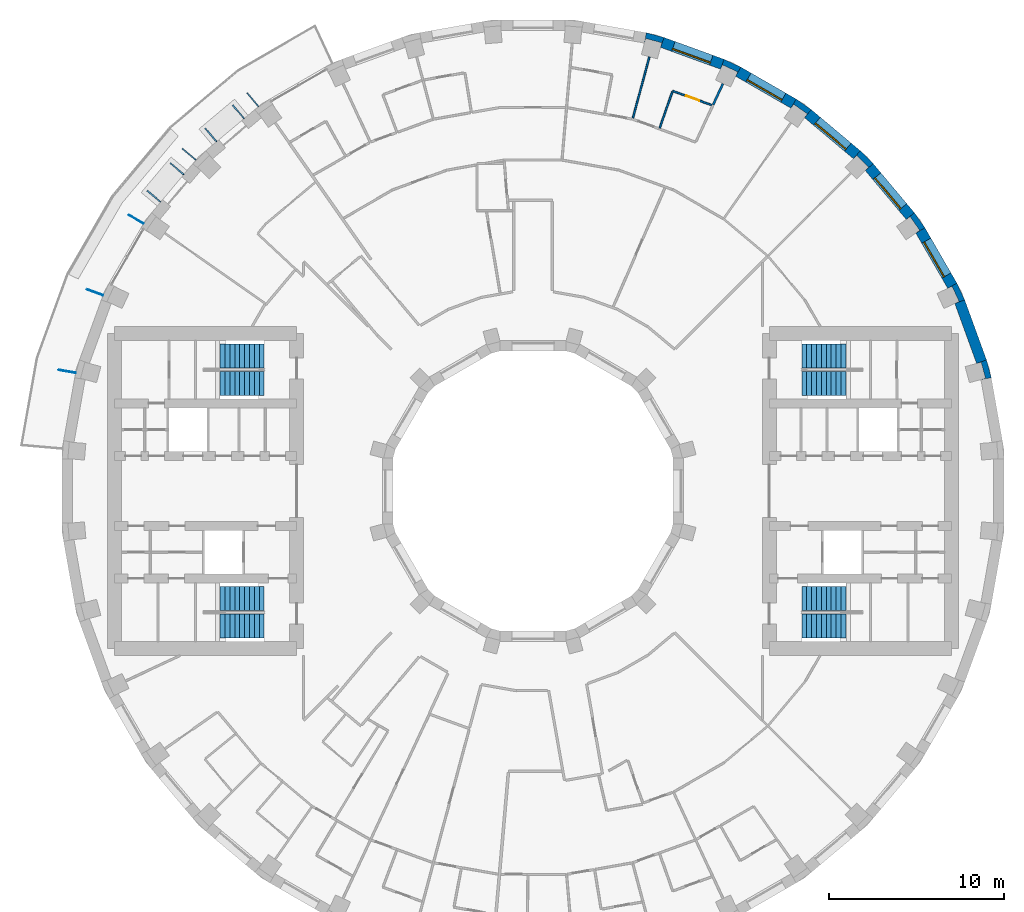
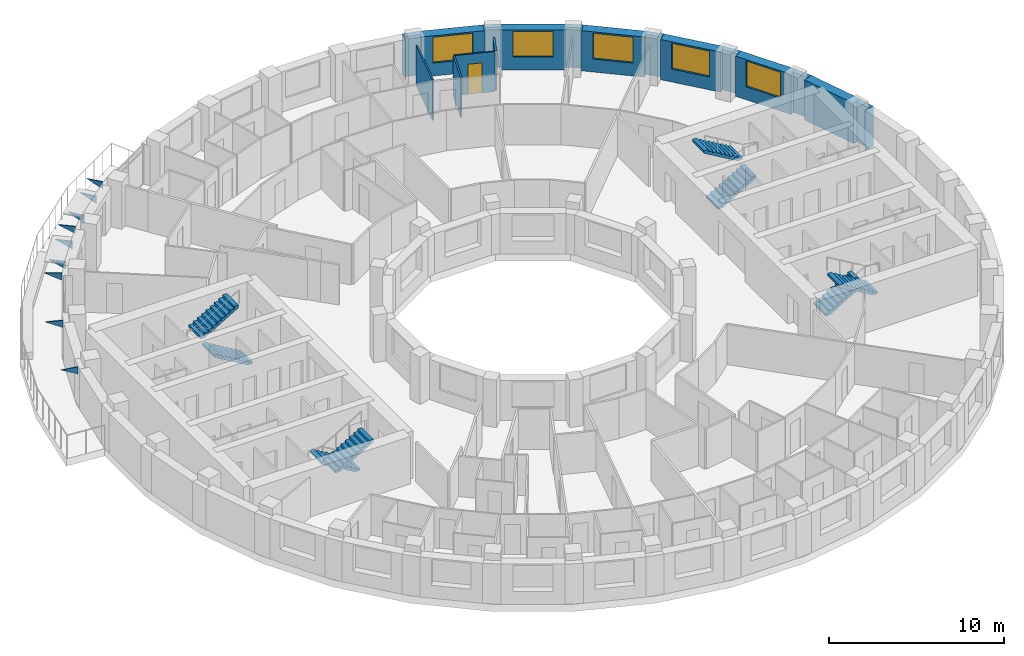
# One storey, part 13 of 14: 17 walls, 9 discrete accessories, 8 stair flights, 5 windows, 1 door, 6 openings, 4 elements without a shape of their own.
"""IFC4 building model written with IfcOpenShell, lengths in metres."""

from ifc_helpers import new_model, si_unit, direction, frame, frame_2d, origin, place, context, subcontext, project, spatial, polyline, rectangle, outline, extrude, material, layer, layer_set, type_object, element, fill, aggregate, save


model = new_model("IFC4")

# Units and contexts
model_context = context("Model", 3, precision=1e-05, world=origin(), true_north=direction((0.0, 1.0)))
body_context = subcontext(model_context, "Body", "Model", "MODEL_VIEW")
ifc_project = project(units=[si_unit("LENGTHUNIT", "METRE"), si_unit("AREAUNIT", "SQUARE_METRE"), si_unit("VOLUMEUNIT", "CUBIC_METRE"), si_unit("PLANEANGLEUNIT", "RADIAN"), si_unit("MASSUNIT", "GRAM", prefix="KILO")], contexts=[model_context])

# Site, building, storey
site_placement = place(None, origin())
site = spatial("IfcSite", under=ifc_project, at=site_placement, CompositionType="ELEMENT")
building_placement = place(site_placement, origin())
building = spatial("IfcBuilding", under=site, at=building_placement, Name="Saqina Gate Tower", CompositionType="ELEMENT")
storey_placement = place(building_placement, frame((0.0, 0.0, 101.800048828125)))
storey = spatial("IfcBuildingStorey", under=building, at=storey_placement, Name="L28", CompositionType="ELEMENT", Elevation=101.800048828125)

# Walls
ifc_material_1 = material(Name="Brick masonry (buff)", Category="masonry")
wall_type_1 = type_object("IfcWallType", Name="BRICK PIER COPING BUFF", PredefinedType="SOLIDWALL", material=ifc_material_1)
wall_1_placement = place(storey_placement, origin())
element("IfcWall", 1, at=wall_1_placement, inside=storey, type_object=wall_type_1, Name="Pier cap L28 column 2", PredefinedType="SOLIDWALL", context=body_context, shape_type="SweptSolid", body=[
    extrude(outline(polyline([(26.171875, 6.466796875), (25.89892578125, 7.485595703125), (25.335205078125, 7.2802734375), (25.5947265625, 7.349853515625), (25.8408203125, 6.43212890625), (25.5810546875, 6.36279296875), (26.171875, 6.466796875)])), origin(), (0.0, 0.0, 1.0), 2.800048828125),
])
wall_2_placement = place(storey_placement, origin())
element("IfcWall", 2, at=wall_2_placement, inside=storey, type_object=wall_type_1, Name="Pier cap L28 column 3", PredefinedType="SOLIDWALL", context=body_context, shape_type="SweptSolid", body=[
    extrude(outline(polyline([(24.6513671875, 10.913330078125), (24.205810546875, 11.869140625), (23.68603515625, 11.569091796875), (23.9296875, 11.6826171875), (24.331298828125, 10.82177734375), (24.08740234375, 10.7080078125), (24.6513671875, 10.913330078125)])), origin(), (0.0, 0.0, 1.0), 2.800048828125),
])
wall_3_placement = place(storey_placement, origin())
element("IfcWall", 3, at=wall_3_placement, inside=storey, type_object=wall_type_1, Name="Pier cap L28 column 4", PredefinedType="SOLIDWALL", context=body_context, shape_type="SweptSolid", body=[
    extrude(outline(polyline([(21.77685546875, 15.89208984375), (21.317138671875, 15.50634765625), (21.53759765625, 15.66064453125), (22.08251953125, 14.88232421875), (21.862060546875, 14.728271484375), (22.3818359375, 15.0283203125), (21.77685546875, 15.89208984375)])), origin(), (0.0, 0.0, 1.0), 2.800048828125),
])
wall_4_placement = place(storey_placement, origin())
element("IfcWall", 4, at=wall_4_placement, inside=storey, type_object=wall_type_1, Name="Pier cap L28 column 5", PredefinedType="SOLIDWALL", context=body_context, shape_type="SweptSolid", body=[
    extrude(outline(polyline([(19.43212890625, 18.686279296875), (18.686279296875, 19.43212890625), (18.30078125, 18.972412109375), (18.49072265625, 19.16259765625), (19.16259765625, 18.49072265625), (18.972412109375, 18.30078125), (19.43212890625, 18.686279296875)])), origin(), (0.0, 0.0, 1.0), 2.800048828125),
])
wall_5_placement = place(storey_placement, origin())
element("IfcWall", 5, at=wall_5_placement, inside=storey, type_object=wall_type_1, Name="Pier cap L28 column 6", PredefinedType="SOLIDWALL", context=body_context, shape_type="SweptSolid", body=[
    extrude(outline(polyline([(15.0283203125, 22.3818359375), (14.728271484375, 21.862060546875), (14.88232421875, 22.08251953125), (15.66064453125, 21.53759765625), (15.50634765625, 21.317138671875), (15.89208984375, 21.77685546875), (15.0283203125, 22.3818359375)])), origin(), (0.0, 0.0, 1.0), 2.800048828125),
])
wall_6_placement = place(storey_placement, origin())
element("IfcWall", 6, at=wall_6_placement, inside=storey, type_object=wall_type_1, Name="Pier cap L28 column 7", PredefinedType="SOLIDWALL", context=body_context, shape_type="SweptSolid", body=[
    extrude(outline(polyline([(10.913330078125, 24.6513671875), (10.7080078125, 24.08740234375), (10.82177734375, 24.331298828125), (11.6826171875, 23.9296875), (11.569091796875, 23.68603515625), (11.869140625, 24.205810546875), (10.913330078125, 24.6513671875)])), origin(), (0.0, 0.0, 1.0), 2.800048828125),
])
wall_7_placement = place(storey_placement, origin())
element("IfcWall", 7, at=wall_7_placement, inside=storey, type_object=wall_type_1, Name="Pier cap L28 column 8", PredefinedType="SOLIDWALL", context=body_context, shape_type="SweptSolid", body=[
    extrude(outline(polyline([(7.485595703125, 25.89892578125), (6.466796875, 26.171875), (6.36279296875, 25.5810546875), (6.43212890625, 25.8408203125), (7.349853515625, 25.5947265625), (7.2802734375, 25.335205078125), (7.485595703125, 25.89892578125)])), origin(), (0.0, 0.0, 1.0), 2.800048828125),
])

# Wall, opening, window
ifc_material_2 = material(Name="Brick masonry (buff)", Category="masonry")
ifc_layer_1 = layer(ifc_material_2, 0.60009765625)
ifc_layer_set_1 = layer_set([ifc_layer_1], Name="FW-BRICK-BUFF")
wall_type_2 = type_object("IfcWallType", Name="FW-BRICK-BUFF", PredefinedType="SOLIDWALL", material=ifc_layer_set_1)
wall_8_placement = place(storey_placement, frame((23.94580078125, 11.718994140625, 0.0), z_axis=(0.0, 0.0, 1.0), x_axis=(-0.499954196102, 0.866051847062, 0.0)))
wall_8 = element("IfcWall", 8, at=wall_8_placement, inside=storey, type_object=wall_type_2, Name="Facade wall L28 facet 3", PredefinedType="SOLIDWALL", context=body_context, shape_type="SweptSolid", body=[
    extrude(rectangle(XDim=3.647705078125, YDim=0.60009765625, at=frame_2d((1.82373046875, 0.0))), origin(), (0.0, 0.0, 1.0), 2.800048828125),
])
opening_1_placement = place(wall_8_placement, frame((0.673828125, 0.0, 0.89990234375)))
opening_1 = element("IfcOpeningElement", 9, at=opening_1_placement, cuts=wall_8, Name="Opening G08-W01", PredefinedType="OPENING", context=body_context, shape_type="SweptSolid", body=[
    extrude(rectangle(XDim=2.300048828125, YDim=1.800048828125, at=frame_2d((1.14990234375, 0.89990234375))), frame((0.0, 0.31201171875, 0.0), z_axis=(0.0, -1.0, 0.0), x_axis=(1.0, 0.0, 0.0)), (0.0, 0.0, 1.0), 0.6240234375),
])
ifc_material_3 = material(Name="Aluminium glazing", Category="aluminium")
window_type = type_object("IfcWindowType", Name="WN-B", PartitioningType="SINGLE_PANEL", PredefinedType="WINDOW", material=ifc_material_3)
window_1_placement = place(opening_1_placement, origin())
window_1 = element("IfcWindow", 10, at=window_1_placement, inside=storey, type_object=window_type, Name="Window L28 facet 3", OverallHeight=1.800048828125, OverallWidth=2.300048828125, PartitioningType="SINGLE_PANEL", PredefinedType="WINDOW", context=body_context, shape_type="SweptSolid", body=[
    extrude(rectangle(XDim=2.300048828125, YDim=1.800048828125, at=frame_2d((1.14990234375, 0.89990234375))), frame((0.0, 0.179931640625, 0.0), z_axis=(0.0, -1.0, 0.0), x_axis=(1.0, 0.0, 0.0)), (0.0, 0.0, 1.0), 0.06005859375),
])
fill(opening_1, window_1)

wall_9_placement = place(storey_placement, frame((21.547119140625, 15.69921875, 0.0), z_axis=(0.0, 0.0, 1.0), x_axis=(-0.642774476932, 0.766055462616, 0.0)))
wall_9 = element("IfcWall", 11, at=wall_9_placement, inside=storey, type_object=wall_type_2, Name="Facade wall L28 facet 4", PredefinedType="SOLIDWALL", context=body_context, shape_type="SweptSolid", body=[
    extrude(rectangle(XDim=3.647705078125, YDim=0.60009765625, at=frame_2d((1.82373046875, 0.0))), origin(), (0.0, 0.0, 1.0), 2.800048828125),
])
opening_2_placement = place(wall_9_placement, frame((0.673828125, 0.0, 0.89990234375)))
opening_2 = element("IfcOpeningElement", 12, at=opening_2_placement, cuts=wall_9, Name="Opening G08-W02", PredefinedType="OPENING", context=body_context, shape_type="SweptSolid", body=[
    extrude(rectangle(XDim=2.300048828125, YDim=1.800048828125, at=frame_2d((1.14990234375, 0.89990234375))), frame((0.0, 0.31201171875, 0.0), z_axis=(0.0, -1.0, 0.0), x_axis=(1.0, 0.0, 0.0)), (0.0, 0.0, 1.0), 0.6240234375),
])
window_2_placement = place(opening_2_placement, origin())
window_2 = element("IfcWindow", 13, at=window_2_placement, inside=storey, type_object=window_type, Name="Window L28 facet 4", OverallHeight=1.800048828125, OverallWidth=2.300048828125, PartitioningType="SINGLE_PANEL", PredefinedType="WINDOW", context=body_context, shape_type="SweptSolid", body=[
    extrude(rectangle(XDim=2.300048828125, YDim=1.800048828125, at=frame_2d((1.14990234375, 0.89990234375))), frame((0.0, 0.179931640625, 0.0), z_axis=(0.0, -1.0, 0.0), x_axis=(1.0, 0.0, 0.0)), (0.0, 0.0, 1.0), 0.06005859375),
])
fill(opening_2, window_2)

wall_10_placement = place(storey_placement, frame((18.49365234375, 19.202392578125, 0.0), z_axis=(0.0, 0.0, 1.0), x_axis=(-0.766055462616, 0.642774476932, 0.0)))
wall_10 = element("IfcWall", 14, at=wall_10_placement, inside=storey, type_object=wall_type_2, Name="Facade wall L28 facet 5", PredefinedType="SOLIDWALL", context=body_context, shape_type="SweptSolid", body=[
    extrude(rectangle(XDim=3.647705078125, YDim=0.60009765625, at=frame_2d((1.82373046875, 0.0))), origin(), (0.0, 0.0, 1.0), 2.800048828125),
])
opening_3_placement = place(wall_10_placement, frame((0.673828125, 0.0, 0.89990234375)))
opening_3 = element("IfcOpeningElement", 15, at=opening_3_placement, cuts=wall_10, Name="Opening G08-W03", PredefinedType="OPENING", context=body_context, shape_type="SweptSolid", body=[
    extrude(rectangle(XDim=2.300048828125, YDim=1.800048828125, at=frame_2d((1.14990234375, 0.89990234375))), frame((0.0, 0.31201171875, 0.0), z_axis=(0.0, -1.0, 0.0), x_axis=(1.0, 0.0, 0.0)), (0.0, 0.0, 1.0), 0.6240234375),
])
window_3_placement = place(opening_3_placement, origin())
window_3 = element("IfcWindow", 16, at=window_3_placement, inside=storey, type_object=window_type, Name="Window L28 facet 5", OverallHeight=1.800048828125, OverallWidth=2.300048828125, PartitioningType="SINGLE_PANEL", PredefinedType="WINDOW", context=body_context, shape_type="SweptSolid", body=[
    extrude(rectangle(XDim=2.300048828125, YDim=1.800048828125, at=frame_2d((1.14990234375, 0.89990234375))), frame((0.0, 0.179931640625, 0.0), z_axis=(0.0, -1.0, 0.0), x_axis=(1.0, 0.0, 0.0)), (0.0, 0.0, 1.0), 0.06005859375),
])
fill(opening_3, window_3)

wall_11_placement = place(storey_placement, frame((14.878173828125, 22.1220703125, 0.0), z_axis=(0.0, 0.0, 1.0), x_axis=(-0.866051847062, 0.499954196102, 0.0)))
wall_11 = element("IfcWall", 17, at=wall_11_placement, inside=storey, type_object=wall_type_2, Name="Facade wall L28 facet 6", PredefinedType="SOLIDWALL", context=body_context, shape_type="SweptSolid", body=[
    extrude(rectangle(XDim=3.647705078125, YDim=0.60009765625, at=frame_2d((1.82373046875, 0.0))), origin(), (0.0, 0.0, 1.0), 2.800048828125),
])
opening_4_placement = place(wall_11_placement, frame((0.673828125, 0.0, 0.89990234375)))
opening_4 = element("IfcOpeningElement", 18, at=opening_4_placement, cuts=wall_11, Name="Opening G08-W04", PredefinedType="OPENING", context=body_context, shape_type="SweptSolid", body=[
    extrude(rectangle(XDim=2.300048828125, YDim=1.800048828125, at=frame_2d((1.14990234375, 0.89990234375))), frame((0.0, 0.31201171875, 0.0), z_axis=(0.0, -1.0, 0.0), x_axis=(1.0, 0.0, 0.0)), (0.0, 0.0, 1.0), 0.6240234375),
])
window_4_placement = place(opening_4_placement, origin())
window_4 = element("IfcWindow", 19, at=window_4_placement, inside=storey, type_object=window_type, Name="Window L28 facet 6", OverallHeight=1.800048828125, OverallWidth=2.300048828125, PartitioningType="SINGLE_PANEL", PredefinedType="WINDOW", context=body_context, shape_type="SweptSolid", body=[
    extrude(rectangle(XDim=2.300048828125, YDim=1.800048828125, at=frame_2d((1.14990234375, 0.89990234375))), frame((0.0, 0.179931640625, 0.0), z_axis=(0.0, -1.0, 0.0), x_axis=(1.0, 0.0, 0.0)), (0.0, 0.0, 1.0), 0.06005859375),
])
fill(opening_4, window_4)

wall_12_placement = place(storey_placement, frame((10.810791015625, 24.369384765625, 0.0), z_axis=(0.0, 0.0, 1.0), x_axis=(-0.939703505393, 0.341990236633, 0.0)))
wall_12 = element("IfcWall", 20, at=wall_12_placement, inside=storey, type_object=wall_type_2, Name="Facade wall L28 facet 7", PredefinedType="SOLIDWALL", context=body_context, shape_type="SweptSolid", body=[
    extrude(rectangle(XDim=3.64794921875, YDim=0.60009765625, at=frame_2d((1.823974609375, 0.0))), origin(), (0.0, 0.0, 1.0), 2.800048828125),
])
opening_5_placement = place(wall_12_placement, frame((0.673828125, 0.0, 0.89990234375)))
opening_5 = element("IfcOpeningElement", 21, at=opening_5_placement, cuts=wall_12, Name="Opening G08-W05", PredefinedType="OPENING", context=body_context, shape_type="SweptSolid", body=[
    extrude(rectangle(XDim=2.300048828125, YDim=1.800048828125, at=frame_2d((1.14990234375, 0.89990234375))), frame((0.0, 0.31201171875, 0.0), z_axis=(0.0, -1.0, 0.0), x_axis=(1.0, 0.0, 0.0)), (0.0, 0.0, 1.0), 0.6240234375),
])
window_5_placement = place(opening_5_placement, origin())
window_5 = element("IfcWindow", 22, at=window_5_placement, inside=storey, type_object=window_type, Name="Window L28 facet 7", OverallHeight=1.800048828125, OverallWidth=2.300048828125, PartitioningType="SINGLE_PANEL", PredefinedType="WINDOW", context=body_context, shape_type="SweptSolid", body=[
    extrude(rectangle(XDim=2.300048828125, YDim=1.800048828125, at=frame_2d((1.14990234375, 0.89990234375))), frame((0.0, 0.179931640625, 0.0), z_axis=(0.0, -1.0, 0.0), x_axis=(1.0, 0.0, 0.0)), (0.0, 0.0, 1.0), 0.06005859375),
])
fill(opening_5, window_5)

# Wall
ifc_material_4 = material(Name="Glazed ceramic tile (dark blue)", Category="ceramic")
ifc_layer_2 = layer(ifc_material_4, 0.60009765625)
ifc_layer_set_2 = layer_set([ifc_layer_2], Name="FW-TILE-CB")
wall_type_3 = type_object("IfcWallType", Name="FW-TILE-CB", PredefinedType="SOLIDWALL", material=ifc_layer_set_2)
wall_13_placement = place(storey_placement, frame((25.616943359375, 7.3828125, 0.0), z_axis=(0.0, 0.0, 1.0), x_axis=(-0.341990236633, 0.939703505393, 0.0)))
element("IfcWall", 23, at=wall_13_placement, inside=storey, type_object=wall_type_3, Name="Facade wall L28 facet 2", PredefinedType="SOLIDWALL", context=body_context, shape_type="SweptSolid", body=[
    extrude(rectangle(XDim=3.64794921875, YDim=0.60009765625, at=frame_2d((1.823974609375, 0.0))), origin(), (0.0, 0.0, 1.0), 2.800048828125),
])

# Wall, opening, door
ifc_material_5 = material(Name="Gypsum board on steel studs, 100 mm", Category="steel")
ifc_layer_3 = layer(ifc_material_5, 0.10009765625)
ifc_layer_set_3 = layer_set([ifc_layer_3], Name="PARTITION 100")
wall_type_4 = type_object("IfcWallType", Name="PARTITION 100", PredefinedType="PARTITIONING", material=ifc_layer_set_3)
wall_14_placement = place(storey_placement, frame((7.97607421875, 22.846923828125, 0.0), z_axis=(0.0, 0.0, 1.0), x_axis=(0.939727609181, -0.341923998196, 0.0)))
wall_14 = element("IfcWall", 24, at=wall_14_placement, inside=storey, type_object=wall_type_4, Name="PARTITION PW3-36", PredefinedType="PARTITIONING", context=body_context, shape_type="SweptSolid", body=[
    extrude(rectangle(XDim=2.38330078125, YDim=0.10009765625, at=frame_2d((1.191650390625, 0.0))), origin(), (0.0, 0.0, 1.0), 2.800048828125),
])
opening_6_placement = place(wall_14_placement, frame((0.81787109375, 0.0, 0.0)))
opening_6 = element("IfcOpeningElement", 25, at=opening_6_placement, cuts=wall_14, Name="Opening G08-D05", PredefinedType="OPENING", context=body_context, shape_type="SweptSolid", body=[
    extrude(rectangle(XDim=0.800048828125, YDim=2.10009765625, at=frame_2d((0.39990234375, 1.050048828125))), frame((0.0, 0.06201171875, 0.0), z_axis=(0.0, -1.0, 0.0), x_axis=(1.0, 0.0, 0.0)), (0.0, 0.0, 1.0), 0.1240234375),
])
ifc_material_6 = material(Name="Timber door leaf, 800 mm", Category="wood")
door_type = type_object("IfcDoorType", Name="DOOR 800 TIMBER", OperationType="SINGLE_SWING_LEFT", PredefinedType="DOOR", material=ifc_material_6)
door_placement = place(opening_6_placement, origin())
door = element("IfcDoor", 26, at=door_placement, inside=storey, type_object=door_type, Name="DOOR G08-D05", OperationType="SINGLE_SWING_RIGHT", OverallHeight=2.10009765625, OverallWidth=0.800048828125, PredefinedType="DOOR", context=body_context, shape_type="SweptSolid", body=[
    extrude(rectangle(XDim=0.800048828125, YDim=2.10009765625, at=frame_2d((0.39990234375, 1.050048828125))), frame((0.0, 0.02490234375, 0.0), z_axis=(0.0, -1.0, 0.0), x_axis=(1.0, 0.0, 0.0)), (0.0, 0.0, 1.0), 0.050048828125),
])
fill(opening_6, door)

# Walls
wall_15_placement = place(storey_placement, frame((7.234375, 20.72314453125, 0.0), z_axis=(0.0, 0.0, 1.0), x_axis=(0.329648286048, 0.944103811827, 0.0)))
element("IfcWall", 27, at=wall_15_placement, inside=storey, type_object=wall_type_4, Name="PARTITION PW3-87", PredefinedType="PARTITIONING", context=body_context, shape_type="SweptSolid", body=[
    extrude(rectangle(XDim=2.19970703125, YDim=0.10009765625, at=frame_2d((1.099853515625, 0.0))), origin(), (0.0, 0.0, 1.0), 2.800048828125),
])
wall_16_placement = place(storey_placement, frame((5.705078125, 21.29248046875, 0.0), z_axis=(0.0, 0.0, 1.0), x_axis=(0.258807972942, 0.965928792997, 0.0)))
element("IfcWall", 28, at=wall_16_placement, inside=storey, type_object=wall_type_4, Name="PARTITION PW3-89", PredefinedType="PARTITIONING", context=body_context, shape_type="SweptSolid", body=[
    extrude(rectangle(XDim=3.621337890625, YDim=0.10009765625, at=frame_2d((1.810546875, 0.0))), origin(), (0.0, 0.0, 1.0), 2.800048828125),
])
ifc_material_7 = material(Name="Gypsum board on steel studs, 125 mm, fire rated", Category="steel")
ifc_layer_4 = layer(ifc_material_7, 0.125)
ifc_layer_set_4 = layer_set([ifc_layer_4], Name="PARTITION EI 30 125")
wall_type_5 = type_object("IfcWallType", Name="PARTITION EI 30 125", PredefinedType="PARTITIONING", material=ifc_layer_set_4)
wall_17_placement = place(storey_placement, frame((10.286376953125, 22.05908203125, 0.0), z_axis=(0.0, 0.0, 1.0), x_axis=(0.422582903395, 0.906324274064, 0.0)))
element("IfcWall", 29, at=wall_17_placement, inside=storey, type_object=wall_type_5, Name="PARTITION PW1-53", PredefinedType="PARTITIONING", context=body_context, shape_type="SweptSolid", body=[
    extrude(rectangle(XDim=1.325439453125, YDim=0.125, at=frame_2d((0.66259765625, 0.0))), origin(), (0.0, 0.0, 1.0), 2.800048828125),
])

# Stair, stair flights
ifc_material_8 = material(Name="Concrete C40/50", Category="concrete")
stair_type = type_object("IfcStairType", Name="EXIT STAIR", PredefinedType="HALF_TURN_STAIR", material=ifc_material_8)
stair_1_placement = place(storey_placement, origin())
stair_1 = element("IfcStair", 30, at=stair_1_placement, inside=storey, type_object=stair_type, Name="EXIT STAIR 1", PredefinedType="HALF_TURN_STAIR")
ifc_material_9 = material(Name="Concrete C40/50", Category="concrete")
stair_flight_type = type_object("IfcStairFlightType", Name="EXIT STAIR FLIGHT", PredefinedType="STRAIGHT", material=ifc_material_9)
stair_flight_1_placement = place(storey_placement, frame((15.35009765625, 6.1416015625, 0.0), z_axis=(0.0, 0.0, 1.0), x_axis=(1.0, 0.0, 0.0)))
stair_flight_1 = element("IfcStairFlight", 31, at=stair_flight_1_placement, type_object=stair_flight_type, Name="EXIT STAIR 1 FLIGHT 1", NumberOfRisers=10, NumberOfTreads=9, PredefinedType="STRAIGHT", RiserHeight=0.165, TreadLength=0.28, context=body_context, shape_type="SweptSolid", body=[
    extrude(outline(polyline([(0.0, 0.0), (0.0, 0.1650390625), (0.280029296875, 0.1650390625), (0.280029296875, 0.330078125), (0.56005859375, 0.330078125), (0.56005859375, 0.4951171875), (0.840087890625, 0.4951171875), (0.840087890625, 0.659912109375), (1.1201171875, 0.659912109375), (1.1201171875, 0.824951171875), (1.39990234375, 0.824951171875), (1.39990234375, 0.989990234375), (1.679931640625, 0.989990234375), (1.679931640625, 1.155029296875), (1.9599609375, 1.155029296875), (1.9599609375, 1.320068359375), (2.239990234375, 1.320068359375), (2.239990234375, 1.485107421875), (2.52001953125, 1.485107421875), (2.52001953125, 1.64990234375), (2.52001953125, 1.31103515625), (0.295166015625, 0.0), (0.0, 0.0)])), frame((0.0, 0.675048828125, 0.0), z_axis=(0.0, -1.0, 0.0), x_axis=(1.0, 0.0, 0.0)), (0.0, 0.0, 1.0), 1.35009765625),
])
stair_flight_2_placement = place(storey_placement, frame((17.8701171875, 7.708251953125, 1.64990234375), z_axis=(0.0, 0.0, 1.0), x_axis=(-1.0, 0.0, 0.0)))
stair_flight_2 = element("IfcStairFlight", 32, at=stair_flight_2_placement, type_object=stair_flight_type, Name="EXIT STAIR 1 FLIGHT 2", NumberOfRisers=10, NumberOfTreads=9, PredefinedType="STRAIGHT", RiserHeight=0.165, TreadLength=0.28, context=body_context, shape_type="SweptSolid", body=[
    extrude(outline(polyline([(0.0, 0.0), (0.0, 0.1650390625), (0.280029296875, 0.1650390625), (0.280029296875, 0.330078125), (0.56005859375, 0.330078125), (0.56005859375, 0.4951171875), (0.840087890625, 0.4951171875), (0.840087890625, 0.659912109375), (1.1201171875, 0.659912109375), (1.1201171875, 0.824951171875), (1.39990234375, 0.824951171875), (1.39990234375, 0.989990234375), (1.679931640625, 0.989990234375), (1.679931640625, 1.155029296875), (1.9599609375, 1.155029296875), (1.9599609375, 1.320068359375), (2.239990234375, 1.320068359375), (2.239990234375, 1.485107421875), (2.52001953125, 1.485107421875), (2.52001953125, 1.64990234375), (2.52001953125, 1.31103515625), (0.295166015625, 0.0), (0.0, 0.0)])), frame((0.0, 0.675048828125, 0.0), z_axis=(0.0, -1.0, 0.0), x_axis=(1.0, 0.0, 0.0)), (0.0, 0.0, 1.0), 1.35009765625),
])
aggregate(stair_1, [stair_flight_1, stair_flight_2])

stair_2_placement = place(storey_placement, origin())
stair_2 = element("IfcStair", 33, at=stair_2_placement, inside=storey, type_object=stair_type, Name="EXIT STAIR 2", PredefinedType="HALF_TURN_STAIR")
stair_flight_3_placement = place(storey_placement, frame((15.35009765625, -6.1416015625, 0.0), z_axis=(0.0, 0.0, 1.0), x_axis=(1.0, 0.0, 0.0)))
stair_flight_3 = element("IfcStairFlight", 34, at=stair_flight_3_placement, type_object=stair_flight_type, Name="EXIT STAIR 2 FLIGHT 1", NumberOfRisers=10, NumberOfTreads=9, PredefinedType="STRAIGHT", RiserHeight=0.165, TreadLength=0.28, context=body_context, shape_type="SweptSolid", body=[
    extrude(outline(polyline([(0.0, 0.0), (0.0, 0.1650390625), (0.280029296875, 0.1650390625), (0.280029296875, 0.330078125), (0.56005859375, 0.330078125), (0.56005859375, 0.4951171875), (0.840087890625, 0.4951171875), (0.840087890625, 0.659912109375), (1.1201171875, 0.659912109375), (1.1201171875, 0.824951171875), (1.39990234375, 0.824951171875), (1.39990234375, 0.989990234375), (1.679931640625, 0.989990234375), (1.679931640625, 1.155029296875), (1.9599609375, 1.155029296875), (1.9599609375, 1.320068359375), (2.239990234375, 1.320068359375), (2.239990234375, 1.485107421875), (2.52001953125, 1.485107421875), (2.52001953125, 1.64990234375), (2.52001953125, 1.31103515625), (0.295166015625, 0.0), (0.0, 0.0)])), frame((0.0, 0.675048828125, 0.0), z_axis=(0.0, -1.0, 0.0), x_axis=(1.0, 0.0, 0.0)), (0.0, 0.0, 1.0), 1.35009765625),
])
stair_flight_4_placement = place(storey_placement, frame((17.8701171875, -7.708251953125, 1.64990234375), z_axis=(0.0, 0.0, 1.0), x_axis=(-1.0, 0.0, 0.0)))
stair_flight_4 = element("IfcStairFlight", 35, at=stair_flight_4_placement, type_object=stair_flight_type, Name="EXIT STAIR 2 FLIGHT 2", NumberOfRisers=10, NumberOfTreads=9, PredefinedType="STRAIGHT", RiserHeight=0.165, TreadLength=0.28, context=body_context, shape_type="SweptSolid", body=[
    extrude(outline(polyline([(0.0, 0.0), (0.0, 0.1650390625), (0.280029296875, 0.1650390625), (0.280029296875, 0.330078125), (0.56005859375, 0.330078125), (0.56005859375, 0.4951171875), (0.840087890625, 0.4951171875), (0.840087890625, 0.659912109375), (1.1201171875, 0.659912109375), (1.1201171875, 0.824951171875), (1.39990234375, 0.824951171875), (1.39990234375, 0.989990234375), (1.679931640625, 0.989990234375), (1.679931640625, 1.155029296875), (1.9599609375, 1.155029296875), (1.9599609375, 1.320068359375), (2.239990234375, 1.320068359375), (2.239990234375, 1.485107421875), (2.52001953125, 1.485107421875), (2.52001953125, 1.64990234375), (2.52001953125, 1.31103515625), (0.295166015625, 0.0), (0.0, 0.0)])), frame((0.0, 0.675048828125, 0.0), z_axis=(0.0, -1.0, 0.0), x_axis=(1.0, 0.0, 0.0)), (0.0, 0.0, 1.0), 1.35009765625),
])
aggregate(stair_2, [stair_flight_3, stair_flight_4])

stair_3_placement = place(storey_placement, origin())
stair_3 = element("IfcStair", 36, at=stair_3_placement, inside=storey, type_object=stair_type, Name="EXIT STAIR 3", PredefinedType="HALF_TURN_STAIR")
stair_flight_5_placement = place(storey_placement, frame((-15.35009765625, 6.1416015625, 0.0), z_axis=(0.0, 0.0, 1.0), x_axis=(-1.0, 0.0, 0.0)))
stair_flight_5 = element("IfcStairFlight", 37, at=stair_flight_5_placement, type_object=stair_flight_type, Name="EXIT STAIR 3 FLIGHT 1", NumberOfRisers=10, NumberOfTreads=9, PredefinedType="STRAIGHT", RiserHeight=0.165, TreadLength=0.28, context=body_context, shape_type="SweptSolid", body=[
    extrude(outline(polyline([(0.0, 0.0), (0.0, 0.1650390625), (0.280029296875, 0.1650390625), (0.280029296875, 0.330078125), (0.56005859375, 0.330078125), (0.56005859375, 0.4951171875), (0.840087890625, 0.4951171875), (0.840087890625, 0.659912109375), (1.1201171875, 0.659912109375), (1.1201171875, 0.824951171875), (1.39990234375, 0.824951171875), (1.39990234375, 0.989990234375), (1.679931640625, 0.989990234375), (1.679931640625, 1.155029296875), (1.9599609375, 1.155029296875), (1.9599609375, 1.320068359375), (2.239990234375, 1.320068359375), (2.239990234375, 1.485107421875), (2.52001953125, 1.485107421875), (2.52001953125, 1.64990234375), (2.52001953125, 1.31103515625), (0.295166015625, 0.0), (0.0, 0.0)])), frame((0.0, 0.675048828125, 0.0), z_axis=(0.0, -1.0, 0.0), x_axis=(1.0, 0.0, 0.0)), (0.0, 0.0, 1.0), 1.35009765625),
])
stair_flight_6_placement = place(storey_placement, frame((-17.8701171875, 7.708251953125, 1.64990234375), z_axis=(0.0, 0.0, 1.0), x_axis=(1.0, 0.0, 0.0)))
stair_flight_6 = element("IfcStairFlight", 38, at=stair_flight_6_placement, type_object=stair_flight_type, Name="EXIT STAIR 3 FLIGHT 2", NumberOfRisers=10, NumberOfTreads=9, PredefinedType="STRAIGHT", RiserHeight=0.165, TreadLength=0.28, context=body_context, shape_type="SweptSolid", body=[
    extrude(outline(polyline([(0.0, 0.0), (0.0, 0.1650390625), (0.280029296875, 0.1650390625), (0.280029296875, 0.330078125), (0.56005859375, 0.330078125), (0.56005859375, 0.4951171875), (0.840087890625, 0.4951171875), (0.840087890625, 0.659912109375), (1.1201171875, 0.659912109375), (1.1201171875, 0.824951171875), (1.39990234375, 0.824951171875), (1.39990234375, 0.989990234375), (1.679931640625, 0.989990234375), (1.679931640625, 1.155029296875), (1.9599609375, 1.155029296875), (1.9599609375, 1.320068359375), (2.239990234375, 1.320068359375), (2.239990234375, 1.485107421875), (2.52001953125, 1.485107421875), (2.52001953125, 1.64990234375), (2.52001953125, 1.31103515625), (0.295166015625, 0.0), (0.0, 0.0)])), frame((0.0, 0.675048828125, 0.0), z_axis=(0.0, -1.0, 0.0), x_axis=(1.0, 0.0, 0.0)), (0.0, 0.0, 1.0), 1.35009765625),
])
aggregate(stair_3, [stair_flight_5, stair_flight_6])

stair_4_placement = place(storey_placement, origin())
stair_4 = element("IfcStair", 39, at=stair_4_placement, inside=storey, type_object=stair_type, Name="EXIT STAIR 4", PredefinedType="HALF_TURN_STAIR")
stair_flight_7_placement = place(storey_placement, frame((-15.35009765625, -6.1416015625, 0.0), z_axis=(0.0, 0.0, 1.0), x_axis=(-1.0, 0.0, 0.0)))
stair_flight_7 = element("IfcStairFlight", 40, at=stair_flight_7_placement, type_object=stair_flight_type, Name="EXIT STAIR 4 FLIGHT 1", NumberOfRisers=10, NumberOfTreads=9, PredefinedType="STRAIGHT", RiserHeight=0.165, TreadLength=0.28, context=body_context, shape_type="SweptSolid", body=[
    extrude(outline(polyline([(0.0, 0.0), (0.0, 0.1650390625), (0.280029296875, 0.1650390625), (0.280029296875, 0.330078125), (0.56005859375, 0.330078125), (0.56005859375, 0.4951171875), (0.840087890625, 0.4951171875), (0.840087890625, 0.659912109375), (1.1201171875, 0.659912109375), (1.1201171875, 0.824951171875), (1.39990234375, 0.824951171875), (1.39990234375, 0.989990234375), (1.679931640625, 0.989990234375), (1.679931640625, 1.155029296875), (1.9599609375, 1.155029296875), (1.9599609375, 1.320068359375), (2.239990234375, 1.320068359375), (2.239990234375, 1.485107421875), (2.52001953125, 1.485107421875), (2.52001953125, 1.64990234375), (2.52001953125, 1.31103515625), (0.295166015625, 0.0), (0.0, 0.0)])), frame((0.0, 0.675048828125, 0.0), z_axis=(0.0, -1.0, 0.0), x_axis=(1.0, 0.0, 0.0)), (0.0, 0.0, 1.0), 1.35009765625),
])
stair_flight_8_placement = place(storey_placement, frame((-17.8701171875, -7.708251953125, 1.64990234375), z_axis=(0.0, 0.0, 1.0), x_axis=(1.0, 0.0, 0.0)))
stair_flight_8 = element("IfcStairFlight", 41, at=stair_flight_8_placement, type_object=stair_flight_type, Name="EXIT STAIR 4 FLIGHT 2", NumberOfRisers=10, NumberOfTreads=9, PredefinedType="STRAIGHT", RiserHeight=0.165, TreadLength=0.28, context=body_context, shape_type="SweptSolid", body=[
    extrude(outline(polyline([(0.0, 0.0), (0.0, 0.1650390625), (0.280029296875, 0.1650390625), (0.280029296875, 0.330078125), (0.56005859375, 0.330078125), (0.56005859375, 0.4951171875), (0.840087890625, 0.4951171875), (0.840087890625, 0.659912109375), (1.1201171875, 0.659912109375), (1.1201171875, 0.824951171875), (1.39990234375, 0.824951171875), (1.39990234375, 0.989990234375), (1.679931640625, 0.989990234375), (1.679931640625, 1.155029296875), (1.9599609375, 1.155029296875), (1.9599609375, 1.320068359375), (2.239990234375, 1.320068359375), (2.239990234375, 1.485107421875), (2.52001953125, 1.485107421875), (2.52001953125, 1.64990234375), (2.52001953125, 1.31103515625), (0.295166015625, 0.0), (0.0, 0.0)])), frame((0.0, 0.675048828125, 0.0), z_axis=(0.0, -1.0, 0.0), x_axis=(1.0, 0.0, 0.0)), (0.0, 0.0, 1.0), 1.35009765625),
])
aggregate(stair_4, [stair_flight_7, stair_flight_8])

# Discrete accessories
ifc_material_10 = material(Name="Galvanised steel", Category="steel")
ifc_layer_5 = layer(ifc_material_10, 0.050048828125)
ifc_layer_set_5 = layer_set([ifc_layer_5], Name="BR-AWNING")
discrete_accessory_type_1 = type_object("IfcDiscreteAccessoryType", Name="BR-AWNING", PredefinedType="BRACKET", material=ifc_layer_set_5)
discrete_accessory_1_placement = place(storey_placement, frame((-16.52392578125, 21.24658203125, 1.974853515625), z_axis=(-0.766055819685, -0.64277405138, 0.0), x_axis=(0.0, 0.0, 1.0)))
element("IfcDiscreteAccessory", 42, at=discrete_accessory_1_placement, inside=storey, type_object=discrete_accessory_type_1, Name="Awning bracket L28 facet 13", PredefinedType="BRACKET", context=body_context, shape_type="SweptSolid", body=[
    extrude(outline(polyline([(0.0, 0.0), (0.550048828125, 0.0), (0.550048828125, 1.0000750096322273), (0.0, 0.0)])), origin(), (0.0, 0.0, -1.0), 0.050048828125),
])
discrete_accessory_2_placement = place(storey_placement, frame((-18.0927734375, 19.930419921875, 1.974853515625), z_axis=(-0.765954930181, -0.642894271969, 0.0), x_axis=(0.0, 0.0, 1.0)))
element("IfcDiscreteAccessory", 43, at=discrete_accessory_2_placement, inside=storey, type_object=discrete_accessory_type_1, Name="Awning bracket L28 facet 13", PredefinedType="BRACKET", context=body_context, shape_type="SweptSolid", body=[
    extrude(outline(polyline([(0.0, 0.0), (0.550048828125, 0.0), (0.550048828125, 0.9998879966000863), (0.0, 0.0)])), origin(), (0.0, 0.0, -1.0), 0.050048828125),
])
for number, where, z_axis, x_axis, name in (
    (44, (-19.96240234375, 18.054443359375, 1.974853515625), (-0.64277405138, -0.766055819685, 0.0), (0.0, 0.0, 1.0), "Awning bracket L28 facet 14"),
    (45, (-21.27880859375, 16.485595703125, 1.974853515625), (-0.64277405138, -0.766055819685, 0.0), (0.0, 0.0, 1.0), "Awning bracket L28 facet 14"),
):
    element("IfcDiscreteAccessory", number, at=place(storey_placement, frame(where, z_axis=z_axis, x_axis=x_axis)), inside=storey, type_object=discrete_accessory_type_1, Name=name, PredefinedType="BRACKET", context=body_context, shape_type="SweptSolid", body=[
        extrude(outline(polyline([(0.0, 0.0), (0.550048828125, 0.0), (0.550048828125, 1.0000750096322273), (0.0, 0.0)])), origin(), (0.0, 0.0, -1.0), 0.050048828125),
    ])
ifc_material_11 = material(Name="Galvanised steel", Category="steel")
ifc_layer_6 = layer(ifc_material_11, 0.050048828125)
ifc_layer_set_6 = layer_set([ifc_layer_6], Name="BR-GUSSET")
discrete_accessory_type_2 = type_object("IfcDiscreteAccessoryType", Name="BR-GUSSET", PredefinedType="BRACKET", material=ifc_layer_set_6)
for number, where, z_axis, x_axis, name in (
    (46, (-15.697265625, 21.940185546875, 2.300048828125), (-0.766055819685, -0.64277405138, 0.0), (0.0, 0.0, 1.0), "Terrace slab bracket L29 1"),
    (47, (-19.2685546875, 18.881103515625, 2.300048828125), (-0.64277405138, -0.766055819685, 0.0), (0.0, 0.0, 1.0), "Terrace slab bracket L29 2"),
):
    element("IfcDiscreteAccessory", number, at=place(storey_placement, frame(where, z_axis=z_axis, x_axis=x_axis)), inside=storey, type_object=discrete_accessory_type_2, Name=name, PredefinedType="BRACKET", context=body_context, shape_type="SweptSolid", body=[
        extrude(outline(polyline([(0.0, 0.0), (0.5, 0.0), (0.5, 1.0000750096322275), (0.0, 0.0)])), origin(), (0.0, 0.0, -1.0), 0.050048828125),
    ])
discrete_accessory_3_placement = place(storey_placement, frame((-22.254638671875, 15.248291015625, 2.300048828125), z_axis=(-0.50002537861, -0.866010750942, 0.0), x_axis=(0.0, 0.0, 1.0)))
element("IfcDiscreteAccessory", 48, at=discrete_accessory_3_placement, inside=storey, type_object=discrete_accessory_type_2, Name="Terrace slab bracket L29 3", PredefinedType="BRACKET", context=body_context, shape_type="SweptSolid", body=[
    extrude(outline(polyline([(0.0, 0.0), (0.5, 0.0), (0.5, 0.9999492453569568), (0.0, 0.0)])), origin(), (0.0, 0.0, -1.0), 0.050048828125),
])
discrete_accessory_4_placement = place(storey_placement, frame((-24.564453125, 11.15234375, 2.300048828125), z_axis=(-0.342037080957, -0.939686455819, 0.0), x_axis=(0.0, 0.0, 1.0)))
element("IfcDiscreteAccessory", 49, at=discrete_accessory_4_placement, inside=storey, type_object=discrete_accessory_type_2, Name="Terrace slab bracket L29 4", PredefinedType="BRACKET", context=body_context, shape_type="SweptSolid", body=[
    extrude(outline(polyline([(0.0, 0.0), (0.5, 0.0), (0.5, 1.000011503630275), (0.0, 0.0)])), origin(), (0.0, 0.0, -1.0), 0.050048828125),
])
discrete_accessory_5_placement = place(storey_placement, frame((-26.127685546875, 6.71728515625, 2.300048828125), z_axis=(-0.173576426815, -0.984820401928, 0.0), x_axis=(0.0, 0.0, 1.0)))
element("IfcDiscreteAccessory", 50, at=discrete_accessory_5_placement, inside=storey, type_object=discrete_accessory_type_2, Name="Terrace slab bracket L29 5", PredefinedType="BRACKET", context=body_context, shape_type="SweptSolid", body=[
    extrude(outline(polyline([(0.0, 0.0), (0.5, 0.0), (0.5, 1.000043540245132), (0.0, 0.0)])), origin(), (0.0, 0.0, -1.0), 0.050048828125),
])

save(model, "model.ifc")
